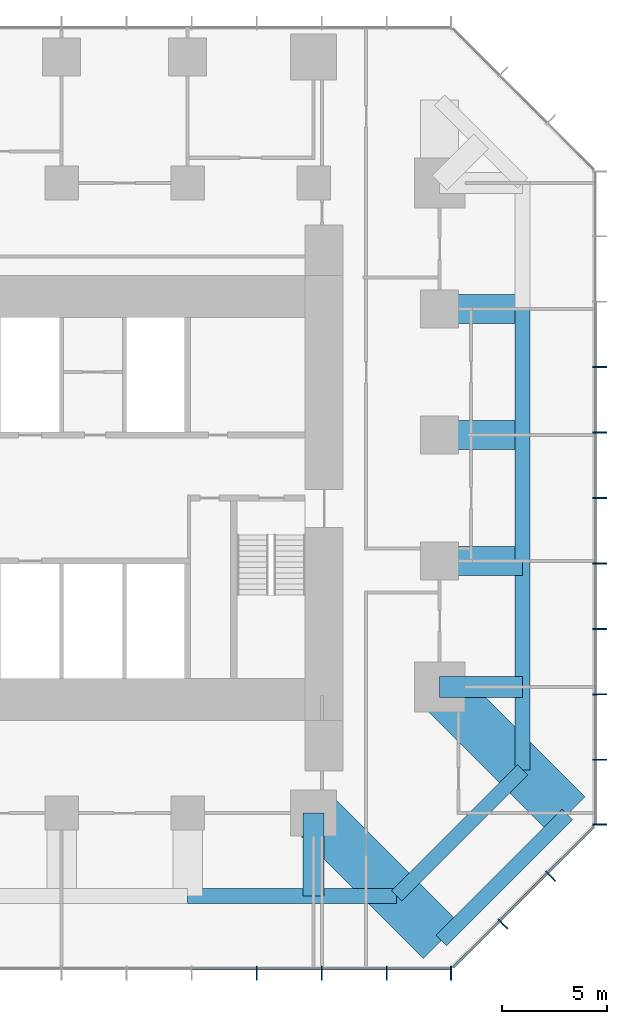
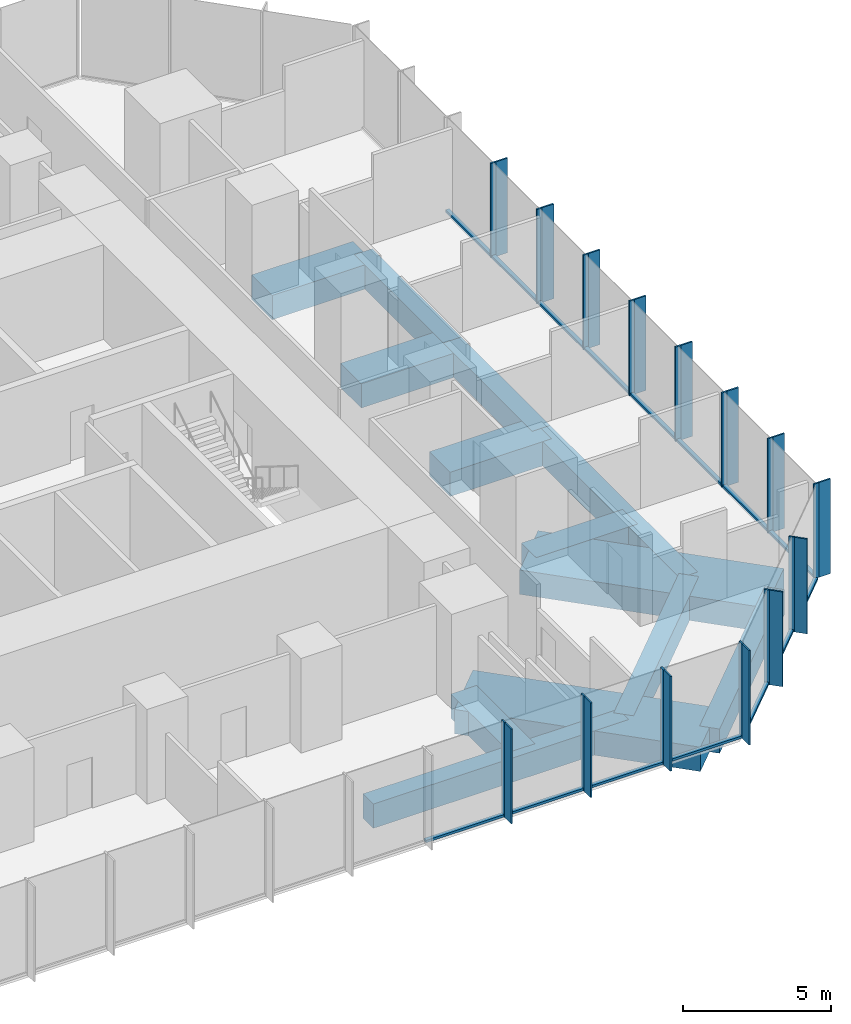
# One storey, part 4 of 12: 43 members, 13 beams, 3 elements without a shape of their own.
"""IFC4 building model written with IfcOpenShell, lengths in metres."""

from ifc_helpers import new_model, si_unit, direction, frame, origin, origin_2d, place, context, subcontext, project, spatial, rectangle, extrude, material, layer, layer_set, material_profile, profile_set, type_object, element, aggregate, save


model = new_model("IFC4")

# Units and contexts
model_context = context("Model", 3, precision=1e-05, world=origin(), true_north=direction((0.0, 1.0)))
body_context = subcontext(model_context, "Body", "Model", "MODEL_VIEW")
ifc_project = project(units=[si_unit("LENGTHUNIT", "METRE"), si_unit("AREAUNIT", "SQUARE_METRE"), si_unit("VOLUMEUNIT", "CUBIC_METRE"), si_unit("PLANEANGLEUNIT", "RADIAN"), si_unit("MASSUNIT", "GRAM", prefix="KILO")], contexts=[model_context])

# Site, building, storey
site_placement = place(None, origin())
site = spatial("IfcSite", under=ifc_project, at=site_placement, CompositionType="ELEMENT")
building_placement = place(site_placement, origin())
building = spatial("IfcBuilding", under=site, at=building_placement, Name="Highveld Stack Headquarters", CompositionType="ELEMENT")
storey_placement = place(building_placement, frame((0.0, 0.0, 156.199951171875)))
storey = spatial("IfcBuildingStorey", under=building, at=storey_placement, Name="L38", CompositionType="ELEMENT", Elevation=156.199951171875)

# Beams
ifc_material_1 = material(Name="Concrete C60/75", Category="concrete")
ifc_material_profile_1 = material_profile(ifc_material_1, rectangle(XDim=1.0, YDim=1.0, at=origin_2d()), Name="RC 1000x1000")
ifc_profile_set_1 = profile_set([ifc_material_profile_1], Name="Concrete C60/75")
beam_type_1 = type_object("IfcBeamType", Name="CANTILEVER RIB RC 1000x1000", PredefinedType="USERDEFINED", material=ifc_profile_set_1)
for number, where, z_axis, x_axis, name in (
    (1, (18.0, -12.0, -0.75), (0.0, -1.0, 0.0), (1.0, 0.0, 0.0), "Cantilever rib 9/C L38"),
    (2, (24.0, -6.0, -0.75), (1.0, 0.0, 0.0), (0.0, 1.0, 0.0), "Cantilever rib 10/D L38"),
):
    element("IfcBeam", number, at=place(storey_placement, frame(where, z_axis=z_axis, x_axis=x_axis)), inside=storey, type_object=beam_type_1, Name=name, ObjectType="CANTILEVER RIB", PredefinedType="USERDEFINED", context=body_context, shape_type="SweptSolid", body=[
        extrude(rectangle(XDim=1.0, YDim=1.0, at=origin_2d()), origin(), (0.0, 0.0, 1.0), 3.949951171875),
    ])
ifc_material_2 = material(Name="Concrete C60/75", Category="concrete")
ifc_material_profile_2 = material_profile(ifc_material_2, rectangle(XDim=1.39990234375, YDim=1.0, at=origin_2d()), Name="RC 1400x1000")
ifc_profile_set_2 = profile_set([ifc_material_profile_2], Name="Concrete C60/75")
beam_type_2 = type_object("IfcBeamType", Name="CANTILEVER RIB RC 1400x1000", PredefinedType="USERDEFINED", material=ifc_profile_set_2)
for number, where, z_axis, x_axis, name in (
    (3, (24.0, 0.0, -0.75), (1.0, 0.0, 0.0), (0.0, 1.0, 0.0), "Cantilever rib 10/E L38"),
    (4, (24.0, 6.0, -0.75), (1.0, 0.0, 0.0), (0.0, 1.0, 0.0), "Cantilever rib 10/F L38"),
    (5, (24.0, 12.0, -0.75), (1.0, 0.0, 0.0), (0.0, 1.0, 0.0), "Cantilever rib 10/G L38"),
):
    element("IfcBeam", number, at=place(storey_placement, frame(where, z_axis=z_axis, x_axis=x_axis)), inside=storey, type_object=beam_type_2, Name=name, ObjectType="CANTILEVER RIB", PredefinedType="USERDEFINED", context=body_context, shape_type="SweptSolid", body=[
        extrude(rectangle(XDim=1.39990234375, YDim=1.0, at=origin_2d()), origin(), (0.0, 0.0, 1.0), 3.949951171875),
    ])
ifc_material_3 = material(Name="Concrete C60/75", Category="concrete")
ifc_material_profile_3 = material_profile(ifc_material_3, rectangle(XDim=2.39990234375, YDim=1.0, at=origin_2d()), Name="RC 2400x1000")
ifc_profile_set_3 = profile_set([ifc_material_profile_3], Name="Concrete C60/75")
beam_type_3 = type_object("IfcBeamType", Name="CANTILEVER RIB RC 2400x1000", PredefinedType="USERDEFINED", material=ifc_profile_set_3)
for number, where, z_axis, x_axis, name in (
    (6, (18.0, -12.0, -0.75), (0.707106781187, -0.707106781187, 0.0), (0.707106781187, 0.707106781187, 0.0), "Cantilever rib 9/C L38"),
    (7, (24.0, -6.0, -0.75), (0.707106781187, -0.707106781187, 0.0), (0.707106781187, 0.707106781187, 0.0), "Cantilever rib 10/D L38"),
):
    element("IfcBeam", number, at=place(storey_placement, frame(where, z_axis=z_axis, x_axis=x_axis)), inside=storey, type_object=beam_type_3, Name=name, ObjectType="CANTILEVER RIB", PredefinedType="USERDEFINED", context=body_context, shape_type="SweptSolid", body=[
        extrude(rectangle(XDim=2.39990234375, YDim=1.0, at=origin_2d()), origin(), (0.0, 0.0, 1.0), 8.585693359375),
    ])

# Curtain wall, members
ifc_material_4 = material(Name="Aluminium bronze anodised", Category="aluminium")
ifc_layer_1 = layer(ifc_material_4, 0.199951171875)
ifc_layer_set_1 = layer_set([ifc_layer_1], Name="Aluminium bronze anodised")
curtain_wall_type_1 = type_object("IfcCurtainWallType", Name="CW1 TOWER UNITISED CURTAIN WALL", PredefinedType="NOTDEFINED", material=ifc_layer_set_1)
curtain_wall_1_placement = place(storey_placement, origin())
curtain_wall_1 = element("IfcCurtainWall", 8, at=curtain_wall_1_placement, inside=storey, type_object=curtain_wall_type_1, Name="Curtain wall CW1 L38 S", PredefinedType="NOTDEFINED")
ifc_material_5 = material(Name="Aluminium bronze anodised", Category="aluminium")
ifc_material_profile_4 = material_profile(ifc_material_5, rectangle(XDim=0.449951171875, YDim=0.06005859375, at=origin_2d()), Name="FIN 450x60")
ifc_profile_set_4 = profile_set([ifc_material_profile_4], Name="Aluminium bronze anodised")
member_type_1 = type_object("IfcMemberType", Name="CW1 BRONZE FIN 450x60", PredefinedType="USERDEFINED", material=ifc_profile_set_4)
member_1_placement = place(storey_placement, frame((15.289794921875, -19.72509765625, 0.0), z_axis=(0.0, 0.0, 1.0), x_axis=(0.0, 1.0, 0.0)))
member_1 = element("IfcMember", 9, at=member_1_placement, type_object=member_type_1, Name="CW1 fin L38 10", ObjectType="FIN", PredefinedType="USERDEFINED", context=body_context, shape_type="SweptSolid", body=[
    extrude(rectangle(XDim=0.449951171875, YDim=0.06005859375, at=origin_2d()), origin(), (0.0, 0.0, 1.0), 3.900146484375),
])
member_2_placement = place(storey_placement, frame((18.38671875, -19.72509765625, 0.0), z_axis=(0.0, 0.0, 1.0), x_axis=(0.0, 1.0, 0.0)))
member_2 = element("IfcMember", 10, at=member_2_placement, type_object=member_type_1, Name="CW1 fin L38 11", ObjectType="FIN", PredefinedType="USERDEFINED", context=body_context, shape_type="SweptSolid", body=[
    extrude(rectangle(XDim=0.449951171875, YDim=0.06005859375, at=origin_2d()), origin(), (0.0, 0.0, 1.0), 3.900146484375),
])
member_3_placement = place(storey_placement, frame((21.483154296875, -19.72509765625, 0.0), z_axis=(0.0, 0.0, 1.0), x_axis=(0.0, 1.0, 0.0)))
member_3 = element("IfcMember", 11, at=member_3_placement, type_object=member_type_1, Name="CW1 fin L38 12", ObjectType="FIN", PredefinedType="USERDEFINED", context=body_context, shape_type="SweptSolid", body=[
    extrude(rectangle(XDim=0.449951171875, YDim=0.06005859375, at=origin_2d()), origin(), (0.0, 0.0, 1.0), 3.900146484375),
])
member_4_placement = place(storey_placement, frame((24.54736328125, -19.72509765625, 0.0), z_axis=(0.0, 0.0, 1.0), x_axis=(0.0, 1.0, 0.0)))
member_4 = element("IfcMember", 12, at=member_4_placement, type_object=member_type_1, Name="CW1 fin L38 13", ObjectType="FIN", PredefinedType="USERDEFINED", context=body_context, shape_type="SweptSolid", body=[
    extrude(rectangle(XDim=0.449951171875, YDim=0.06005859375, at=origin_2d()), origin(), (0.0, 0.0, 1.0), 3.900146484375),
])

curtain_wall_2_placement = place(storey_placement, origin())
curtain_wall_2 = element("IfcCurtainWall", 13, at=curtain_wall_2_placement, inside=storey, type_object=curtain_wall_type_1, Name="Curtain wall CW1 L38 E", PredefinedType="NOTDEFINED")
member_5_placement = place(storey_placement, frame((31.72509765625, -12.54736328125, 0.0), z_axis=(0.0, 0.0, 1.0), x_axis=(-1.0, 0.0, 0.0)))
member_5 = element("IfcMember", 14, at=member_5_placement, type_object=member_type_1, Name="CW1 fin L38 1", ObjectType="FIN", PredefinedType="USERDEFINED", context=body_context, shape_type="SweptSolid", body=[
    extrude(rectangle(XDim=0.449951171875, YDim=0.06005859375, at=origin_2d()), origin(), (0.0, 0.0, 1.0), 3.900146484375),
])
member_6_placement = place(storey_placement, frame((31.72509765625, -9.4638671875, 0.0), z_axis=(0.0, 0.0, 1.0), x_axis=(-1.0, 0.0, 0.0)))
member_6 = element("IfcMember", 15, at=member_6_placement, type_object=member_type_1, Name="CW1 fin L38 2", ObjectType="FIN", PredefinedType="USERDEFINED", context=body_context, shape_type="SweptSolid", body=[
    extrude(rectangle(XDim=0.449951171875, YDim=0.06005859375, at=origin_2d()), origin(), (0.0, 0.0, 1.0), 3.900146484375),
])
member_7_placement = place(storey_placement, frame((31.72509765625, -6.347900390625, 0.0), z_axis=(0.0, 0.0, 1.0), x_axis=(-1.0, 0.0, 0.0)))
member_7 = element("IfcMember", 16, at=member_7_placement, type_object=member_type_1, Name="CW1 fin L38 3", ObjectType="FIN", PredefinedType="USERDEFINED", context=body_context, shape_type="SweptSolid", body=[
    extrude(rectangle(XDim=0.449951171875, YDim=0.06005859375, at=origin_2d()), origin(), (0.0, 0.0, 1.0), 3.900146484375),
])
member_8_placement = place(storey_placement, frame((31.72509765625, -3.23193359375, 0.0), z_axis=(0.0, 0.0, 1.0), x_axis=(-1.0, 0.0, 0.0)))
member_8 = element("IfcMember", 17, at=member_8_placement, type_object=member_type_1, Name="CW1 fin L38 4", ObjectType="FIN", PredefinedType="USERDEFINED", context=body_context, shape_type="SweptSolid", body=[
    extrude(rectangle(XDim=0.449951171875, YDim=0.06005859375, at=origin_2d()), origin(), (0.0, 0.0, 1.0), 3.900146484375),
])
member_9_placement = place(storey_placement, frame((31.72509765625, -0.115966796875, 0.0), z_axis=(0.0, 0.0, 1.0), x_axis=(-1.0, 0.0, 0.0)))
member_9 = element("IfcMember", 18, at=member_9_placement, type_object=member_type_1, Name="CW1 fin L38 5", ObjectType="FIN", PredefinedType="USERDEFINED", context=body_context, shape_type="SweptSolid", body=[
    extrude(rectangle(XDim=0.449951171875, YDim=0.06005859375, at=origin_2d()), origin(), (0.0, 0.0, 1.0), 3.900146484375),
])
member_10_placement = place(storey_placement, frame((31.72509765625, 3.0, 0.0), z_axis=(0.0, 0.0, 1.0), x_axis=(-1.0, 0.0, 0.0)))
member_10 = element("IfcMember", 19, at=member_10_placement, type_object=member_type_1, Name="CW1 fin L38 6", ObjectType="FIN", PredefinedType="USERDEFINED", context=body_context, shape_type="SweptSolid", body=[
    extrude(rectangle(XDim=0.449951171875, YDim=0.06005859375, at=origin_2d()), origin(), (0.0, 0.0, 1.0), 3.900146484375),
])
member_11_placement = place(storey_placement, frame((31.72509765625, 6.115966796875, 0.0), z_axis=(0.0, 0.0, 1.0), x_axis=(-1.0, 0.0, 0.0)))
member_11 = element("IfcMember", 20, at=member_11_placement, type_object=member_type_1, Name="CW1 fin L38 7", ObjectType="FIN", PredefinedType="USERDEFINED", context=body_context, shape_type="SweptSolid", body=[
    extrude(rectangle(XDim=0.449951171875, YDim=0.06005859375, at=origin_2d()), origin(), (0.0, 0.0, 1.0), 3.900146484375),
])
member_12_placement = place(storey_placement, frame((31.72509765625, 9.23193359375, 0.0), z_axis=(0.0, 0.0, 1.0), x_axis=(-1.0, 0.0, 0.0)))
member_12 = element("IfcMember", 21, at=member_12_placement, type_object=member_type_1, Name="CW1 fin L38 8", ObjectType="FIN", PredefinedType="USERDEFINED", context=body_context, shape_type="SweptSolid", body=[
    extrude(rectangle(XDim=0.449951171875, YDim=0.06005859375, at=origin_2d()), origin(), (0.0, 0.0, 1.0), 3.900146484375),
])

# Member
ifc_material_6 = material(Name="Aluminium bronze anodised", Category="aluminium")
ifc_material_profile_5 = material_profile(ifc_material_6, rectangle(XDim=0.199951171875, YDim=0.06494140625, at=origin_2d()), Name="CW1 MULLION 65x200")
ifc_profile_set_5 = profile_set([ifc_material_profile_5], Name="Aluminium bronze anodised")
member_type_2 = type_object("IfcMemberType", Name="CW1 MULLION 65x200", PredefinedType="MULLION", material=ifc_profile_set_5)
member_13_placement = place(storey_placement, frame((15.289794921875, -19.39990234375, 0.0), z_axis=(0.0, 0.0, 1.0), x_axis=(0.0, 1.0, 0.0)))
member_13 = element("IfcMember", 22, at=member_13_placement, type_object=member_type_2, Name="CW1 mullion L38 10", PredefinedType="MULLION", context=body_context, shape_type="SweptSolid", body=[
    extrude(rectangle(XDim=0.199951171875, YDim=0.06494140625, at=origin_2d()), origin(), (0.0, 0.0, 1.0), 3.900146484375),
])

member_14_placement = place(storey_placement, frame((18.38671875, -19.39990234375, 0.0), z_axis=(0.0, 0.0, 1.0), x_axis=(0.0, 1.0, 0.0)))
member_14 = element("IfcMember", 23, at=member_14_placement, type_object=member_type_2, Name="CW1 mullion L38 11", PredefinedType="MULLION", context=body_context, shape_type="SweptSolid", body=[
    extrude(rectangle(XDim=0.199951171875, YDim=0.06494140625, at=origin_2d()), origin(), (0.0, 0.0, 1.0), 3.900146484375),
])

member_15_placement = place(storey_placement, frame((21.483154296875, -19.39990234375, 0.0), z_axis=(0.0, 0.0, 1.0), x_axis=(0.0, 1.0, 0.0)))
member_15 = element("IfcMember", 24, at=member_15_placement, type_object=member_type_2, Name="CW1 mullion L38 12", PredefinedType="MULLION", context=body_context, shape_type="SweptSolid", body=[
    extrude(rectangle(XDim=0.199951171875, YDim=0.06494140625, at=origin_2d()), origin(), (0.0, 0.0, 1.0), 3.900146484375),
])

member_16_placement = place(storey_placement, frame((24.54736328125, -19.39990234375, 0.0), z_axis=(0.0, 0.0, 1.0), x_axis=(0.0, 1.0, 0.0)))
member_16 = element("IfcMember", 25, at=member_16_placement, type_object=member_type_2, Name="CW1 mullion L38 13", PredefinedType="MULLION", context=body_context, shape_type="SweptSolid", body=[
    extrude(rectangle(XDim=0.199951171875, YDim=0.06494140625, at=origin_2d()), origin(), (0.0, 0.0, 1.0), 3.900146484375),
])

member_17_placement = place(storey_placement, frame((31.39990234375, -12.54736328125, 0.0), z_axis=(0.0, 0.0, 1.0), x_axis=(-1.0, 0.0, 0.0)))
member_17 = element("IfcMember", 26, at=member_17_placement, type_object=member_type_2, Name="CW1 mullion L38 1", PredefinedType="MULLION", context=body_context, shape_type="SweptSolid", body=[
    extrude(rectangle(XDim=0.199951171875, YDim=0.06494140625, at=origin_2d()), origin(), (0.0, 0.0, 1.0), 3.900146484375),
])

member_18_placement = place(storey_placement, frame((31.39990234375, -9.4638671875, 0.0), z_axis=(0.0, 0.0, 1.0), x_axis=(-1.0, 0.0, 0.0)))
member_18 = element("IfcMember", 27, at=member_18_placement, type_object=member_type_2, Name="CW1 mullion L38 2", PredefinedType="MULLION", context=body_context, shape_type="SweptSolid", body=[
    extrude(rectangle(XDim=0.199951171875, YDim=0.06494140625, at=origin_2d()), origin(), (0.0, 0.0, 1.0), 3.900146484375),
])

member_19_placement = place(storey_placement, frame((31.39990234375, -6.347900390625, 0.0), z_axis=(0.0, 0.0, 1.0), x_axis=(-1.0, 0.0, 0.0)))
member_19 = element("IfcMember", 28, at=member_19_placement, type_object=member_type_2, Name="CW1 mullion L38 3", PredefinedType="MULLION", context=body_context, shape_type="SweptSolid", body=[
    extrude(rectangle(XDim=0.199951171875, YDim=0.06494140625, at=origin_2d()), origin(), (0.0, 0.0, 1.0), 3.900146484375),
])

member_20_placement = place(storey_placement, frame((31.39990234375, -3.23193359375, 0.0), z_axis=(0.0, 0.0, 1.0), x_axis=(-1.0, 0.0, 0.0)))
member_20 = element("IfcMember", 29, at=member_20_placement, type_object=member_type_2, Name="CW1 mullion L38 4", PredefinedType="MULLION", context=body_context, shape_type="SweptSolid", body=[
    extrude(rectangle(XDim=0.199951171875, YDim=0.06494140625, at=origin_2d()), origin(), (0.0, 0.0, 1.0), 3.900146484375),
])

member_21_placement = place(storey_placement, frame((31.39990234375, -0.115966796875, 0.0), z_axis=(0.0, 0.0, 1.0), x_axis=(-1.0, 0.0, 0.0)))
member_21 = element("IfcMember", 30, at=member_21_placement, type_object=member_type_2, Name="CW1 mullion L38 5", PredefinedType="MULLION", context=body_context, shape_type="SweptSolid", body=[
    extrude(rectangle(XDim=0.199951171875, YDim=0.06494140625, at=origin_2d()), origin(), (0.0, 0.0, 1.0), 3.900146484375),
])

member_22_placement = place(storey_placement, frame((31.39990234375, 3.0, 0.0), z_axis=(0.0, 0.0, 1.0), x_axis=(-1.0, 0.0, 0.0)))
member_22 = element("IfcMember", 31, at=member_22_placement, type_object=member_type_2, Name="CW1 mullion L38 6", PredefinedType="MULLION", context=body_context, shape_type="SweptSolid", body=[
    extrude(rectangle(XDim=0.199951171875, YDim=0.06494140625, at=origin_2d()), origin(), (0.0, 0.0, 1.0), 3.900146484375),
])

member_23_placement = place(storey_placement, frame((31.39990234375, 6.115966796875, 0.0), z_axis=(0.0, 0.0, 1.0), x_axis=(-1.0, 0.0, 0.0)))
member_23 = element("IfcMember", 32, at=member_23_placement, type_object=member_type_2, Name="CW1 mullion L38 7", PredefinedType="MULLION", context=body_context, shape_type="SweptSolid", body=[
    extrude(rectangle(XDim=0.199951171875, YDim=0.06494140625, at=origin_2d()), origin(), (0.0, 0.0, 1.0), 3.900146484375),
])

member_24_placement = place(storey_placement, frame((31.39990234375, 9.23193359375, 0.0), z_axis=(0.0, 0.0, 1.0), x_axis=(-1.0, 0.0, 0.0)))
member_24 = element("IfcMember", 33, at=member_24_placement, type_object=member_type_2, Name="CW1 mullion L38 8", PredefinedType="MULLION", context=body_context, shape_type="SweptSolid", body=[
    extrude(rectangle(XDim=0.199951171875, YDim=0.06494140625, at=origin_2d()), origin(), (0.0, 0.0, 1.0), 3.900146484375),
])

ifc_material_7 = material(Name="Aluminium bronze anodised", Category="aluminium")
ifc_material_profile_6 = material_profile(ifc_material_7, rectangle(XDim=0.14990234375, YDim=0.10009765625, at=origin_2d()), Name="CW1 TRANSOM 150x100")
ifc_profile_set_6 = profile_set([ifc_material_profile_6], Name="Aluminium bronze anodised")
member_type_3 = type_object("IfcMemberType", Name="CW1 STACK TRANSOM 150x100", PredefinedType="USERDEFINED", material=ifc_profile_set_6)
member_25_placement = place(storey_placement, frame((12.225830078125, -19.39990234375, 0.050048828125), z_axis=(1.0, 0.0, 0.0), x_axis=(0.0, 1.0, 0.0)))
member_25 = element("IfcMember", 34, at=member_25_placement, type_object=member_type_3, Name="CW1 transom L38 9.1", ObjectType="TRANSOM", PredefinedType="USERDEFINED", context=body_context, shape_type="SweptSolid", body=[
    extrude(rectangle(XDim=0.14990234375, YDim=0.10009765625, at=origin_2d()), origin(), (0.0, 0.0, 1.0), 3.03173828125),
])

member_26_placement = place(storey_placement, frame((15.322509765625, -19.39990234375, 0.050048828125), z_axis=(1.0, 0.0, 0.0), x_axis=(0.0, 1.0, 0.0)))
member_26 = element("IfcMember", 35, at=member_26_placement, type_object=member_type_3, Name="CW1 transom L38 10.1", ObjectType="TRANSOM", PredefinedType="USERDEFINED", context=body_context, shape_type="SweptSolid", body=[
    extrude(rectangle(XDim=0.14990234375, YDim=0.10009765625, at=origin_2d()), origin(), (0.0, 0.0, 1.0), 3.031494140625),
])

member_27_placement = place(storey_placement, frame((18.419189453125, -19.39990234375, 0.050048828125), z_axis=(1.0, 0.0, 0.0), x_axis=(0.0, 1.0, 0.0)))
member_27 = element("IfcMember", 36, at=member_27_placement, type_object=member_type_3, Name="CW1 transom L38 11.1", ObjectType="TRANSOM", PredefinedType="USERDEFINED", context=body_context, shape_type="SweptSolid", body=[
    extrude(rectangle(XDim=0.14990234375, YDim=0.10009765625, at=origin_2d()), origin(), (0.0, 0.0, 1.0), 3.031494140625),
])

member_28_placement = place(storey_placement, frame((21.515625, -19.39990234375, 0.050048828125), z_axis=(1.0, 0.0, 0.0), x_axis=(0.0, 1.0, 0.0)))
member_28 = element("IfcMember", 37, at=member_28_placement, type_object=member_type_3, Name="CW1 transom L38 12.1", ObjectType="TRANSOM", PredefinedType="USERDEFINED", context=body_context, shape_type="SweptSolid", body=[
    extrude(rectangle(XDim=0.14990234375, YDim=0.10009765625, at=origin_2d()), origin(), (0.0, 0.0, 1.0), 2.999267578125),
])

aggregate(curtain_wall_1, [member_13, member_1, member_14, member_2, member_15, member_3, member_16, member_4, member_25, member_26, member_27, member_28])

member_29_placement = place(storey_placement, frame((31.39990234375, -12.514892578125, 0.050048828125), z_axis=(0.0, 1.0, 0.0), x_axis=(-1.0, 0.0, 0.0)))
member_29 = element("IfcMember", 38, at=member_29_placement, type_object=member_type_3, Name="CW1 transom L38 1.1", ObjectType="TRANSOM", PredefinedType="USERDEFINED", context=body_context, shape_type="SweptSolid", body=[
    extrude(rectangle(XDim=0.14990234375, YDim=0.10009765625, at=origin_2d()), origin(), (0.0, 0.0, 1.0), 3.0185546875),
])

member_30_placement = place(storey_placement, frame((31.39990234375, -9.431396484375, 0.050048828125), z_axis=(0.0, 1.0, 0.0), x_axis=(-1.0, 0.0, 0.0)))
member_30 = element("IfcMember", 39, at=member_30_placement, type_object=member_type_3, Name="CW1 transom L38 2.1", ObjectType="TRANSOM", PredefinedType="USERDEFINED", context=body_context, shape_type="SweptSolid", body=[
    extrude(rectangle(XDim=0.14990234375, YDim=0.10009765625, at=origin_2d()), origin(), (0.0, 0.0, 1.0), 3.051025390625),
])

member_31_placement = place(storey_placement, frame((31.39990234375, -6.3154296875, 0.050048828125), z_axis=(0.0, 1.0, 0.0), x_axis=(-1.0, 0.0, 0.0)))
member_31 = element("IfcMember", 40, at=member_31_placement, type_object=member_type_3, Name="CW1 transom L38 3.1", ObjectType="TRANSOM", PredefinedType="USERDEFINED", context=body_context, shape_type="SweptSolid", body=[
    extrude(rectangle(XDim=0.14990234375, YDim=0.10009765625, at=origin_2d()), origin(), (0.0, 0.0, 1.0), 3.051025390625),
])

member_32_placement = place(storey_placement, frame((31.39990234375, -3.199462890625, 0.050048828125), z_axis=(0.0, 1.0, 0.0), x_axis=(-1.0, 0.0, 0.0)))
member_32 = element("IfcMember", 41, at=member_32_placement, type_object=member_type_3, Name="CW1 transom L38 4.1", ObjectType="TRANSOM", PredefinedType="USERDEFINED", context=body_context, shape_type="SweptSolid", body=[
    extrude(rectangle(XDim=0.14990234375, YDim=0.10009765625, at=origin_2d()), origin(), (0.0, 0.0, 1.0), 3.051025390625),
])

member_33_placement = place(storey_placement, frame((31.39990234375, -0.08349609375, 0.050048828125), z_axis=(0.0, 1.0, 0.0), x_axis=(-1.0, 0.0, 0.0)))
member_33 = element("IfcMember", 42, at=member_33_placement, type_object=member_type_3, Name="CW1 transom L38 5.1", ObjectType="TRANSOM", PredefinedType="USERDEFINED", context=body_context, shape_type="SweptSolid", body=[
    extrude(rectangle(XDim=0.14990234375, YDim=0.10009765625, at=origin_2d()), origin(), (0.0, 0.0, 1.0), 3.051025390625),
])

member_34_placement = place(storey_placement, frame((31.39990234375, 3.032470703125, 0.050048828125), z_axis=(0.0, 1.0, 0.0), x_axis=(-1.0, 0.0, 0.0)))
member_34 = element("IfcMember", 43, at=member_34_placement, type_object=member_type_3, Name="CW1 transom L38 6.1", ObjectType="TRANSOM", PredefinedType="USERDEFINED", context=body_context, shape_type="SweptSolid", body=[
    extrude(rectangle(XDim=0.14990234375, YDim=0.10009765625, at=origin_2d()), origin(), (0.0, 0.0, 1.0), 3.051025390625),
])

member_35_placement = place(storey_placement, frame((31.39990234375, 6.1484375, 0.050048828125), z_axis=(0.0, 1.0, 0.0), x_axis=(-1.0, 0.0, 0.0)))
member_35 = element("IfcMember", 44, at=member_35_placement, type_object=member_type_3, Name="CW1 transom L38 7.1", ObjectType="TRANSOM", PredefinedType="USERDEFINED", context=body_context, shape_type="SweptSolid", body=[
    extrude(rectangle(XDim=0.14990234375, YDim=0.10009765625, at=origin_2d()), origin(), (0.0, 0.0, 1.0), 3.051025390625),
])

member_36_placement = place(storey_placement, frame((31.39990234375, 9.264404296875, 0.050048828125), z_axis=(0.0, 1.0, 0.0), x_axis=(-1.0, 0.0, 0.0)))
member_36 = element("IfcMember", 45, at=member_36_placement, type_object=member_type_3, Name="CW1 transom L38 8.1", ObjectType="TRANSOM", PredefinedType="USERDEFINED", context=body_context, shape_type="SweptSolid", body=[
    extrude(rectangle(XDim=0.14990234375, YDim=0.10009765625, at=origin_2d()), origin(), (0.0, 0.0, 1.0), 3.051025390625),
])

aggregate(curtain_wall_2, [member_17, member_5, member_18, member_6, member_19, member_7, member_20, member_8, member_21, member_9, member_22, member_10, member_23, member_11, member_24, member_12, member_29, member_30, member_31, member_32, member_33, member_34, member_35, member_36])

# Curtain wall, members
ifc_material_8 = material(Name="Aluminium bronze anodised", Category="aluminium")
ifc_layer_2 = layer(ifc_material_8, 0.199951171875)
ifc_layer_set_2 = layer_set([ifc_layer_2], Name="Aluminium bronze anodised")
curtain_wall_type_2 = type_object("IfcCurtainWallType", Name="CW2 TOWER CHAMFER UNITISED CURTAIN WALL", PredefinedType="NOTDEFINED", material=ifc_layer_set_2)
curtain_wall_3_placement = place(storey_placement, origin())
curtain_wall_3 = element("IfcCurtainWall", 46, at=curtain_wall_3_placement, inside=storey, type_object=curtain_wall_type_2, Name="Curtain wall CW2 L38 SE", PredefinedType="NOTDEFINED")
ifc_material_9 = material(Name="Aluminium bronze anodised", Category="aluminium")
ifc_material_profile_7 = material_profile(ifc_material_9, rectangle(XDim=0.449951171875, YDim=0.06005859375, at=origin_2d()), Name="FIN 450x60")
ifc_profile_set_7 = profile_set([ifc_material_profile_7], Name="Aluminium bronze anodised")
member_type_4 = type_object("IfcMemberType", Name="CW2 BRONZE FIN 450x60", PredefinedType="USERDEFINED", material=ifc_profile_set_7)
member_37_placement = place(storey_placement, frame((27.0830078125, -17.3564453125, 0.0), z_axis=(0.0, 0.0, 1.0), x_axis=(-0.707106781187, 0.707106781187, 0.0)))
member_37 = element("IfcMember", 47, at=member_37_placement, type_object=member_type_4, Name="CW2 fin L38 1", ObjectType="FIN", PredefinedType="USERDEFINED", context=body_context, shape_type="SweptSolid", body=[
    extrude(rectangle(XDim=0.449951171875, YDim=0.06005859375, at=origin_2d()), origin(), (0.0, 0.0, 1.0), 3.900146484375),
])
member_38_placement = place(storey_placement, frame((29.3564453125, -15.0830078125, 0.0), z_axis=(0.0, 0.0, 1.0), x_axis=(-0.707106781187, 0.707106781187, 0.0)))
member_38 = element("IfcMember", 48, at=member_38_placement, type_object=member_type_4, Name="CW2 fin L38 2", ObjectType="FIN", PredefinedType="USERDEFINED", context=body_context, shape_type="SweptSolid", body=[
    extrude(rectangle(XDim=0.449951171875, YDim=0.06005859375, at=origin_2d()), origin(), (0.0, 0.0, 1.0), 3.900146484375),
])
ifc_material_10 = material(Name="Aluminium bronze anodised", Category="aluminium")
ifc_material_profile_8 = material_profile(ifc_material_10, rectangle(XDim=0.199951171875, YDim=0.06494140625, at=origin_2d()), Name="CW2 MULLION 65x200")
ifc_profile_set_8 = profile_set([ifc_material_profile_8], Name="Aluminium bronze anodised")
member_type_5 = type_object("IfcMemberType", Name="CW2 MULLION 65x200", PredefinedType="MULLION", material=ifc_profile_set_8)
member_39_placement = place(storey_placement, frame((26.853271484375, -17.126708984375, 0.0), z_axis=(0.0, 0.0, 1.0), x_axis=(-0.707106781187, 0.707106781187, 0.0)))
member_39 = element("IfcMember", 49, at=member_39_placement, type_object=member_type_5, Name="CW2 mullion L38 1", PredefinedType="MULLION", context=body_context, shape_type="SweptSolid", body=[
    extrude(rectangle(XDim=0.199951171875, YDim=0.06494140625, at=origin_2d()), origin(), (0.0, 0.0, 1.0), 3.900146484375),
])
member_40_placement = place(storey_placement, frame((29.126708984375, -14.853271484375, 0.0), z_axis=(0.0, 0.0, 1.0), x_axis=(-0.707106781187, 0.707106781187, 0.0)))
member_40 = element("IfcMember", 50, at=member_40_placement, type_object=member_type_5, Name="CW2 mullion L38 2", PredefinedType="MULLION", context=body_context, shape_type="SweptSolid", body=[
    extrude(rectangle(XDim=0.199951171875, YDim=0.06494140625, at=origin_2d()), origin(), (0.0, 0.0, 1.0), 3.900146484375),
])
ifc_material_11 = material(Name="Aluminium bronze anodised", Category="aluminium")
ifc_material_profile_9 = material_profile(ifc_material_11, rectangle(XDim=0.14990234375, YDim=0.10009765625, at=origin_2d()), Name="CW2 TRANSOM 150x100")
ifc_profile_set_9 = profile_set([ifc_material_profile_9], Name="Aluminium bronze anodised")
member_type_6 = type_object("IfcMemberType", Name="CW2 STACK TRANSOM 150x100", PredefinedType="USERDEFINED", material=ifc_profile_set_9)
member_41_placement = place(storey_placement, frame((24.650634765625, -19.329345703125, 0.050048828125), z_axis=(0.707106781187, 0.707106781187, 0.0), x_axis=(-0.707106781187, 0.707106781187, 0.0)))
member_41 = element("IfcMember", 51, at=member_41_placement, type_object=member_type_6, Name="CW2 transom L38 1.1", ObjectType="TRANSOM", PredefinedType="USERDEFINED", context=body_context, shape_type="SweptSolid", body=[
    extrude(rectangle(XDim=0.14990234375, YDim=0.10009765625, at=origin_2d()), origin(), (0.0, 0.0, 1.0), 3.08251953125),
])
member_42_placement = place(storey_placement, frame((26.876220703125, -17.103759765625, 0.050048828125), z_axis=(0.707106781187, 0.707106781187, 0.0), x_axis=(-0.707106781187, 0.707106781187, 0.0)))
member_42 = element("IfcMember", 52, at=member_42_placement, type_object=member_type_6, Name="CW2 transom L38 2.1", ObjectType="TRANSOM", PredefinedType="USERDEFINED", context=body_context, shape_type="SweptSolid", body=[
    extrude(rectangle(XDim=0.14990234375, YDim=0.10009765625, at=origin_2d()), origin(), (0.0, 0.0, 1.0), 3.150146484375),
])
member_43_placement = place(storey_placement, frame((29.149658203125, -14.830322265625, 0.050048828125), z_axis=(0.707106781187, 0.707106781187, 0.0), x_axis=(-0.707106781187, 0.707106781187, 0.0)))
member_43 = element("IfcMember", 53, at=member_43_placement, type_object=member_type_6, Name="CW2 transom L38 3.1", ObjectType="TRANSOM", PredefinedType="USERDEFINED", context=body_context, shape_type="SweptSolid", body=[
    extrude(rectangle(XDim=0.14990234375, YDim=0.10009765625, at=origin_2d()), origin(), (0.0, 0.0, 1.0), 3.08251953125),
])
aggregate(curtain_wall_3, [member_39, member_37, member_40, member_38, member_41, member_42, member_43])

# Beams
ifc_material_12 = material(Name="Concrete C60/75", Category="concrete")
ifc_material_profile_10 = material_profile(ifc_material_12, rectangle(XDim=0.699951171875, YDim=1.0, at=origin_2d()), Name="RC 700x1000")
ifc_profile_set_10 = profile_set([ifc_material_profile_10], Name="Concrete C60/75")
beam_type_4 = type_object("IfcBeamType", Name="RIB TIP BEAM RC 700x1000", PredefinedType="SPANDREL", material=ifc_profile_set_10)
beam_1_placement = place(storey_placement, frame((27.949951171875, -9.949951171875, -0.75), z_axis=(0.0, 1.0, 0.0), x_axis=(-1.0, 0.0, 0.0)))
element("IfcBeam", 54, at=beam_1_placement, inside=storey, type_object=beam_type_4, Name="Rib tip beam 10/D to 10/E L38", PredefinedType="SPANDREL", context=body_context, shape_type="SweptSolid", body=[
    extrude(rectangle(XDim=0.699951171875, YDim=1.0, at=origin_2d()), origin(), (0.0, 0.0, 1.0), 9.949951171875),
])
for number, where, z_axis, x_axis, name in (
    (55, (27.949951171875, 0.0, -0.75), (0.0, 1.0, 0.0), (-1.0, 0.0, 0.0), "Rib tip beam 10/E to 10/F L38"),
    (56, (27.949951171875, 6.0, -0.75), (0.0, 1.0, 0.0), (-1.0, 0.0, 0.0), "Rib tip beam 10/F to 10/G L38"),
):
    element("IfcBeam", number, at=place(storey_placement, frame(where, z_axis=z_axis, x_axis=x_axis)), inside=storey, type_object=beam_type_4, Name=name, PredefinedType="SPANDREL", context=body_context, shape_type="SweptSolid", body=[
        extrude(rectangle(XDim=0.699951171875, YDim=1.0, at=origin_2d()), origin(), (0.0, 0.0, 1.0), 6.0),
    ])
beam_2_placement = place(storey_placement, frame((12.0, -15.949951171875, -0.75), z_axis=(1.0, 0.0, 0.0), x_axis=(0.0, 1.0, 0.0)))
element("IfcBeam", 57, at=beam_2_placement, inside=storey, type_object=beam_type_4, Name="Rib tip beam 8/C to 9/C L38", PredefinedType="SPANDREL", context=body_context, shape_type="SweptSolid", body=[
    extrude(rectangle(XDim=0.699951171875, YDim=1.0, at=origin_2d()), origin(), (0.0, 0.0, 1.0), 9.949951171875),
])
for number, where, z_axis, x_axis, name in (
    (58, (21.949951171875, -15.949951171875, -0.75), (0.707106781187, 0.707106781187, 0.0), (-0.707106781187, 0.707106781187, 0.0), "Rib tip beam 9/C to 10/D chamfer L38"),
    (59, (24.071044921875, -18.071044921875, -0.75), (0.707106781187, 0.707106781187, 0.0), (-0.707106781187, 0.707106781187, 0.0), "Rib tip beam 9/C to 10/D chamfer edge L38"),
):
    element("IfcBeam", number, at=place(storey_placement, frame(where, z_axis=z_axis, x_axis=x_axis)), inside=storey, type_object=beam_type_4, Name=name, PredefinedType="SPANDREL", context=body_context, shape_type="SweptSolid", body=[
        extrude(rectangle(XDim=0.699951171875, YDim=1.0, at=origin_2d()), origin(), (0.0, 0.0, 1.0), 8.4853515625),
    ])

save(model, "model.ifc")
